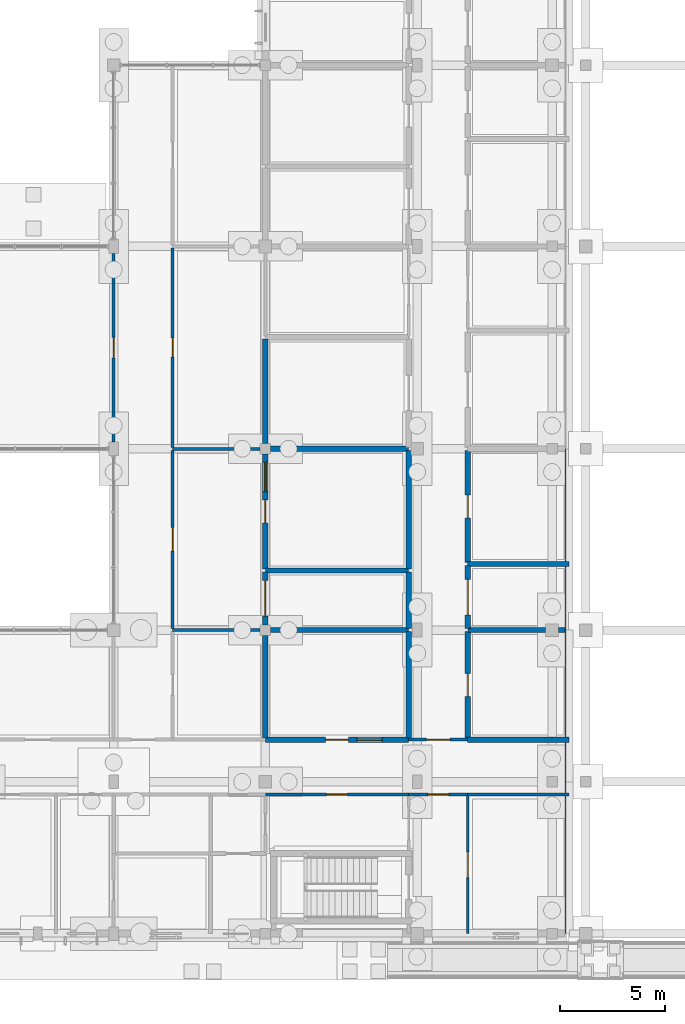
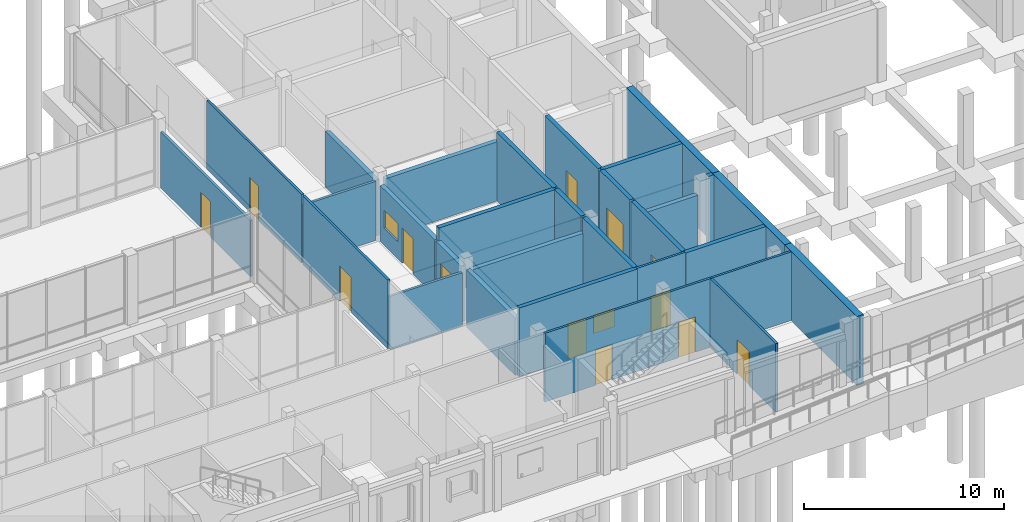
# One storey, part 80 of 104: 31 walls, 13 doors, 2 windows, 15 openings.
"""IFC4 building model written with IfcOpenShell, lengths in metres."""

from ifc_helpers import new_model, si_unit, direction, frame, frame_2d, origin, place, context, subcontext, project, spatial, rectangle, extrude, material, layer, layer_set, type_object, element, fill, save


model = new_model("IFC4")

# Units and contexts
model_context = context("Model", 3, precision=1e-05, world=origin(), true_north=direction((0.0, 1.0)))
body_context = subcontext(model_context, "Body", "Model", "MODEL_VIEW")
ifc_project = project(units=[si_unit("LENGTHUNIT", "METRE"), si_unit("AREAUNIT", "SQUARE_METRE"), si_unit("VOLUMEUNIT", "CUBIC_METRE"), si_unit("PLANEANGLEUNIT", "RADIAN"), si_unit("MASSUNIT", "GRAM", prefix="KILO")], contexts=[model_context])

# Site, building, storey
site_placement = place(None, origin())
site = spatial("IfcSite", under=ifc_project, at=site_placement, CompositionType="ELEMENT")
building_placement = place(site_placement, origin())
building = spatial("IfcBuilding", under=site, at=building_placement, Name="Hawrajan Terrace Health Centre", CompositionType="ELEMENT")
storey_placement = place(building_placement, origin())
storey = spatial("IfcBuildingStorey", under=building, at=storey_placement, Name="L00", CompositionType="ELEMENT", Elevation=0.0)

# Wall, opening, door
ifc_material_1 = material(Name="Gypsum board on acoustic stud framing")
ifc_layer_1 = layer(ifc_material_1, 0.139892578125)
ifc_layer_set_1 = layer_set([ifc_layer_1], Name="Gypsum board on acoustic stud framing")
wall_type_1 = type_object("IfcWallType", Name="ClinicalAcousticWall_140", PredefinedType="PARTITIONING", material=ifc_layer_set_1)
wall_1_placement = place(storey_placement, frame((107.800048828125, 27.52490234375, 0.0), z_axis=(0.0, 0.0, 1.0), x_axis=(0.0, 1.0, 0.0)))
wall_1 = element("IfcWall", 1, at=wall_1_placement, inside=storey, type_object=wall_type_1, Name="Interior wall IW-L00-0393", PredefinedType="PARTITIONING", context=body_context, shape_type="SweptSolid", body=[
    extrude(rectangle(XDim=8.9501953125, YDim=0.139892578125, at=frame_2d((4.47509765625, 0.0))), origin(), (0.0, 0.0, 1.0), 3.39990234375),
])
opening_1_placement = place(wall_1_placement, frame((3.985107421875, 0.0, 0.0)))
opening_1 = element("IfcOpeningElement", 2, at=opening_1_placement, cuts=wall_1, Name="Opening D-L00-134", PredefinedType="OPENING", context=body_context, shape_type="SweptSolid", body=[
    extrude(rectangle(XDim=0.97998046875, YDim=2.14990234375, at=frame_2d((0.489990234375, 1.074951171875))), frame((0.0, 0.079833984375, 0.0), z_axis=(0.0, -1.0, 0.0), x_axis=(1.0, 0.0, 0.0)), (0.0, 0.0, 1.0), 0.159912109375),
])
ifc_material_2 = material(Name="Hardwood acoustic clinical door leaf and frame", Category="wood")
door_type_1 = type_object("IfcDoorType", Name="ConsultDoor_980x2150", OperationType="NOTDEFINED", PredefinedType="DOOR", material=ifc_material_2)
door_1_placement = place(opening_1_placement, origin())
door_1 = element("IfcDoor", 3, at=door_1_placement, inside=storey, type_object=door_type_1, Name="Interior door D-L00-134", OperationType="SINGLE_SWING_RIGHT", OverallHeight=2.14990234375, OverallWidth=0.97998046875, PredefinedType="DOOR", context=body_context, shape_type="SweptSolid", body=[
    extrude(rectangle(XDim=0.97998046875, YDim=2.14990234375, at=frame_2d((0.489990234375, 1.074951171875))), frame((0.0, 0.02490234375, 0.0), z_axis=(0.0, -1.0, 0.0), x_axis=(1.0, 0.0, 0.0)), (0.0, 0.0, 1.0), 0.050048828125),
])
fill(opening_1, door_1)

wall_2_placement = place(storey_placement, frame((110.60009765625, 18.669921875, 0.0), z_axis=(0.0, 0.0, 1.0), x_axis=(0.0, 1.0, 0.0)))
wall_2 = element("IfcWall", 4, at=wall_2_placement, inside=storey, type_object=wall_type_1, Name="Interior wall IW-L00-0396", PredefinedType="PARTITIONING", context=body_context, shape_type="SweptSolid", body=[
    extrude(rectangle(XDim=8.4599609375, YDim=0.139892578125, at=frame_2d((4.22998046875, 0.0))), origin(), (0.0, 0.0, 1.0), 4.179931640625),
])
opening_2_placement = place(wall_2_placement, frame((3.669921875, 0.0, 0.0)))
opening_2 = element("IfcOpeningElement", 5, at=opening_2_placement, cuts=wall_2, Name="Opening D-L00-135", PredefinedType="OPENING", context=body_context, shape_type="SweptSolid", body=[
    extrude(rectangle(XDim=1.1201171875, YDim=2.14990234375, at=frame_2d((0.56005859375, 1.074951171875))), frame((0.0, 0.079833984375, 0.0), z_axis=(0.0, -1.0, 0.0), x_axis=(1.0, 0.0, 0.0)), (0.0, 0.0, 1.0), 0.159912109375),
])
door_type_2 = type_object("IfcDoorType", Name="DentalSurgeryDoor_1120x2150", OperationType="NOTDEFINED", PredefinedType="DOOR", material=ifc_material_2)
door_2_placement = place(opening_2_placement, origin())
door_2 = element("IfcDoor", 6, at=door_2_placement, inside=storey, type_object=door_type_2, Name="Interior door D-L00-135", OperationType="SINGLE_SWING_LEFT", OverallHeight=2.14990234375, OverallWidth=1.1201171875, PredefinedType="DOOR", context=body_context, shape_type="SweptSolid", body=[
    extrude(rectangle(XDim=1.1201171875, YDim=2.14990234375, at=frame_2d((0.56005859375, 1.074951171875))), frame((0.0, 0.02490234375, 0.0), z_axis=(0.0, -1.0, 0.0), x_axis=(1.0, 0.0, 0.0)), (0.0, 0.0, 1.0), 0.050048828125),
])
fill(opening_2, door_2)

# Wall
wall_3_placement = place(storey_placement, frame((110.60009765625, 18.60009765625, 0.0), z_axis=(0.0, 0.0, 1.0), x_axis=(1.0, 0.0, 0.0)))
element("IfcWall", 7, at=wall_3_placement, inside=storey, type_object=wall_type_1, Name="Interior wall IW-L00-0397", PredefinedType="PARTITIONING", context=body_context, shape_type="SweptSolid", body=[
    extrude(rectangle(XDim=4.14990234375, YDim=0.139892578125, at=frame_2d((2.074951171875, 0.0))), origin(), (0.0, 0.0, 1.0), 3.25),
])

# Wall, opening, door
wall_4_placement = place(storey_placement, frame((110.60009765625, 27.27001953125, 0.0), z_axis=(0.0, 0.0, 1.0), x_axis=(0.0, 1.0, 0.0)))
wall_4 = element("IfcWall", 8, at=wall_4_placement, inside=storey, type_object=wall_type_1, Name="Interior wall IW-L00-0398", PredefinedType="PARTITIONING", context=body_context, shape_type="SweptSolid", body=[
    extrude(rectangle(XDim=9.4599609375, YDim=0.139892578125, at=frame_2d((4.72998046875, 0.0))), origin(), (0.0, 0.0, 1.0), 4.179931640625),
])
opening_3_placement = place(wall_4_placement, frame((4.280029296875, 0.0, 0.0)))
opening_3 = element("IfcOpeningElement", 9, at=opening_3_placement, cuts=wall_4, Name="Opening D-L00-149", PredefinedType="OPENING", context=body_context, shape_type="SweptSolid", body=[
    extrude(rectangle(XDim=0.89990234375, YDim=2.10009765625, at=frame_2d((0.449951171875, 1.050048828125))), frame((0.0, 0.079833984375, 0.0), z_axis=(0.0, -1.0, 0.0), x_axis=(1.0, 0.0, 0.0)), (0.0, 0.0, 1.0), 0.159912109375),
])
door_type_3 = type_object("IfcDoorType", Name="PatientWCDoor_900x2100", OperationType="NOTDEFINED", PredefinedType="DOOR", material=ifc_material_2)
door_3_placement = place(opening_3_placement, origin())
door_3 = element("IfcDoor", 10, at=door_3_placement, inside=storey, type_object=door_type_3, Name="Interior door D-L00-149", OperationType="SINGLE_SWING_LEFT", OverallHeight=2.10009765625, OverallWidth=0.89990234375, PredefinedType="DOOR", context=body_context, shape_type="SweptSolid", body=[
    extrude(rectangle(XDim=0.89990234375, YDim=2.10009765625, at=frame_2d((0.449951171875, 1.050048828125))), frame((0.0, 0.02490234375, 0.0), z_axis=(0.0, -1.0, 0.0), x_axis=(1.0, 0.0, 0.0)), (0.0, 0.0, 1.0), 0.050048828125),
])
fill(opening_3, door_3)

# Wall
wall_5_placement = place(storey_placement, frame((110.60009765625, 27.199951171875, 0.0), z_axis=(0.0, 0.0, 1.0), x_axis=(1.0, 0.0, 0.0)))
element("IfcWall", 11, at=wall_5_placement, inside=storey, type_object=wall_type_1, Name="Interior wall IW-L00-0399", PredefinedType="PARTITIONING", context=body_context, shape_type="SweptSolid", body=[
    extrude(rectangle(XDim=4.14990234375, YDim=0.139892578125, at=frame_2d((2.074951171875, 0.0))), origin(), (0.0, 0.0, 1.0), 3.60009765625),
])

# Wall, opening, door
wall_6_placement = place(storey_placement, frame((115.0, 10.800048828125, 0.0), z_axis=(0.0, 0.0, 1.0), x_axis=(1.0, 0.0, 0.0)))
wall_6 = element("IfcWall", 12, at=wall_6_placement, inside=storey, type_object=wall_type_1, Name="Interior wall IW-L00-0406", PredefinedType="PARTITIONING", context=body_context, shape_type="SweptSolid", body=[
    extrude(rectangle(XDim=6.800048828125, YDim=0.139892578125, at=frame_2d((3.39990234375, 0.0))), origin(), (0.0, 0.0, 1.0), 4.179931640625),
])
opening_4_placement = place(wall_6_placement, frame((2.909912109375, 0.0, 0.0)))
opening_4 = element("IfcOpeningElement", 13, at=opening_4_placement, cuts=wall_6, Name="Opening D-L00-121", PredefinedType="OPENING", context=body_context, shape_type="SweptSolid", body=[
    extrude(rectangle(XDim=0.97998046875, YDim=2.14990234375, at=frame_2d((0.489990234375, 1.074951171875))), frame((0.0, 0.079833984375, 0.0), z_axis=(0.0, -1.0, 0.0), x_axis=(1.0, 0.0, 0.0)), (0.0, 0.0, 1.0), 0.159912109375),
])
door_4_placement = place(opening_4_placement, origin())
door_4 = element("IfcDoor", 14, at=door_4_placement, inside=storey, type_object=door_type_1, Name="Interior door D-L00-121", OperationType="SINGLE_SWING_LEFT", OverallHeight=2.14990234375, OverallWidth=0.97998046875, PredefinedType="DOOR", context=body_context, shape_type="SweptSolid", body=[
    extrude(rectangle(XDim=0.97998046875, YDim=2.14990234375, at=frame_2d((0.489990234375, 1.074951171875))), frame((0.0, 0.02490234375, 0.0), z_axis=(0.0, -1.0, 0.0), x_axis=(1.0, 0.0, 0.0)), (0.0, 0.0, 1.0), 0.050048828125),
])
fill(opening_4, door_4)

wall_7_placement = place(storey_placement, frame((121.800048828125, 10.800048828125, 0.0), z_axis=(0.0, 0.0, 1.0), x_axis=(1.0, 0.0, 0.0)))
wall_7 = element("IfcWall", 15, at=wall_7_placement, inside=storey, type_object=wall_type_1, Name="Interior wall IW-L00-0424", PredefinedType="PARTITIONING", context=body_context, shape_type="SweptSolid", body=[
    extrude(rectangle(XDim=2.800048828125, YDim=0.139892578125, at=frame_2d((1.39990234375, 0.0))), origin(), (0.0, 0.0, 1.0), 4.179931640625),
])
opening_5_placement = place(wall_7_placement, frame((0.909912109375, 0.0, 0.0)))
opening_5 = element("IfcOpeningElement", 16, at=opening_5_placement, cuts=wall_7, Name="Opening D-L00-118", PredefinedType="OPENING", context=body_context, shape_type="SweptSolid", body=[
    extrude(rectangle(XDim=0.97998046875, YDim=2.14990234375, at=frame_2d((0.489990234375, 1.074951171875))), frame((0.0, 0.079833984375, 0.0), z_axis=(0.0, -1.0, 0.0), x_axis=(1.0, 0.0, 0.0)), (0.0, 0.0, 1.0), 0.159912109375),
])
door_5_placement = place(opening_5_placement, origin())
door_5 = element("IfcDoor", 17, at=door_5_placement, inside=storey, type_object=door_type_1, Name="Interior door D-L00-118", OperationType="SINGLE_SWING_RIGHT", OverallHeight=2.14990234375, OverallWidth=0.97998046875, PredefinedType="DOOR", context=body_context, shape_type="SweptSolid", body=[
    extrude(rectangle(XDim=0.97998046875, YDim=2.14990234375, at=frame_2d((0.489990234375, 1.074951171875))), frame((0.0, 0.02490234375, 0.0), z_axis=(0.0, -1.0, 0.0), x_axis=(1.0, 0.0, 0.0)), (0.0, 0.0, 1.0), 0.050048828125),
])
fill(opening_5, door_5)

wall_8_placement = place(storey_placement, frame((121.800048828125, 13.39990234375, 0.0), z_axis=(0.0, 0.0, 1.0), x_axis=(1.0, 0.0, 0.0)))
wall_8 = element("IfcWall", 18, at=wall_8_placement, inside=storey, type_object=wall_type_1, Name="Interior wall IW-L00-0426", PredefinedType="PARTITIONING", context=body_context, shape_type="SweptSolid", body=[
    extrude(rectangle(XDim=2.800048828125, YDim=0.139892578125, at=frame_2d((1.39990234375, 0.0))), origin(), (0.0, 0.0, 1.0), 4.179931640625),
])
opening_6_placement = place(wall_8_placement, frame((0.840087890625, 0.0, 0.0)))
opening_6 = element("IfcOpeningElement", 19, at=opening_6_placement, cuts=wall_8, Name="Opening D-L00-119", PredefinedType="OPENING", context=body_context, shape_type="SweptSolid", body=[
    extrude(rectangle(XDim=1.1201171875, YDim=2.14990234375, at=frame_2d((0.56005859375, 1.074951171875))), frame((0.0, 0.079833984375, 0.0), z_axis=(0.0, -1.0, 0.0), x_axis=(1.0, 0.0, 0.0)), (0.0, 0.0, 1.0), 0.159912109375),
])
door_6_placement = place(opening_6_placement, origin())
door_6 = element("IfcDoor", 20, at=door_6_placement, inside=storey, type_object=door_type_2, Name="Interior door D-L00-119", OperationType="SINGLE_SWING_LEFT", OverallHeight=2.14990234375, OverallWidth=1.1201171875, PredefinedType="DOOR", context=body_context, shape_type="SweptSolid", body=[
    extrude(rectangle(XDim=1.1201171875, YDim=2.14990234375, at=frame_2d((0.56005859375, 1.074951171875))), frame((0.0, 0.02490234375, 0.0), z_axis=(0.0, -1.0, 0.0), x_axis=(1.0, 0.0, 0.0)), (0.0, 0.0, 1.0), 0.050048828125),
])
fill(opening_6, door_6)

wall_9_placement = place(storey_placement, frame((124.60009765625, 4.199951171875, 0.0), z_axis=(0.0, 0.0, 1.0), x_axis=(0.0, 1.0, 0.0)))
wall_9 = element("IfcWall", 21, at=wall_9_placement, inside=storey, type_object=wall_type_1, Name="Interior wall IW-L00-0437", PredefinedType="PARTITIONING", context=body_context, shape_type="SweptSolid", body=[
    extrude(rectangle(XDim=6.530029296875, YDim=0.139892578125, at=frame_2d((3.26513671875, 0.0))), origin(), (0.0, 0.0, 1.0), 4.179931640625),
])
opening_7_placement = place(wall_9_placement, frame((2.655029296875, 0.0, 0.0)))
opening_7 = element("IfcOpeningElement", 22, at=opening_7_placement, cuts=wall_9, Name="Opening D-L00-227", PredefinedType="OPENING", context=body_context, shape_type="SweptSolid", body=[
    extrude(rectangle(XDim=1.219970703125, YDim=2.10009765625, at=frame_2d((0.60986328125, 1.050048828125))), frame((0.0, 0.079833984375, 0.0), z_axis=(0.0, -1.0, 0.0), x_axis=(1.0, 0.0, 0.0)), (0.0, 0.0, 1.0), 0.159912109375),
])
door_type_4 = type_object("IfcDoorType", Name="ConsultDoor_1220x2100", OperationType="NOTDEFINED", PredefinedType="DOOR", material=ifc_material_2)
door_7_placement = place(opening_7_placement, origin())
door_7 = element("IfcDoor", 23, at=door_7_placement, inside=storey, type_object=door_type_4, Name="Interior door D-L00-227", OperationType="SINGLE_SWING_LEFT", OverallHeight=2.10009765625, OverallWidth=1.219970703125, PredefinedType="DOOR", context=body_context, shape_type="SweptSolid", body=[
    extrude(rectangle(XDim=1.219970703125, YDim=2.10009765625, at=frame_2d((0.60986328125, 1.050048828125))), frame((0.0, 0.02490234375, 0.0), z_axis=(0.0, -1.0, 0.0), x_axis=(1.0, 0.0, 0.0)), (0.0, 0.0, 1.0), 0.050048828125),
])
fill(opening_7, door_7)

# Walls
wall_10_placement = place(storey_placement, frame((124.60009765625, 10.800048828125, 0.0), z_axis=(0.0, 0.0, 1.0), x_axis=(1.0, 0.0, 0.0)))
element("IfcWall", 24, at=wall_10_placement, inside=storey, type_object=wall_type_1, Name="Interior wall IW-L00-0438", PredefinedType="PARTITIONING", context=body_context, shape_type="SweptSolid", body=[
    extrude(rectangle(XDim=4.794921875, YDim=0.139892578125, at=frame_2d((2.3974609375, 0.0))), origin(), (0.0, 0.0, 1.0), 4.179931640625),
])
ifc_material_3 = material(Name="Concrete C40/50", Category="concrete")
ifc_layer_2 = layer(ifc_material_3, 0.3798828125)
ifc_layer_set_2 = layer_set([ifc_layer_2], Name="Concrete C40/50")
wall_type_2 = type_object("IfcWallType", Name="EscarpmentWall_RC380", PredefinedType="USERDEFINED", material=ifc_layer_set_2)
wall_11_placement = place(storey_placement, frame((129.39501953125, 4.199951171875, 0.0), z_axis=(0.0, 0.0, 1.0), x_axis=(0.0, 1.0, 0.0)))
element("IfcWall", 25, at=wall_11_placement, inside=storey, type_object=wall_type_2, Name="Exterior wall EW-L00-V16-00-1", ObjectType="RETAINING WALL", PredefinedType="USERDEFINED", context=body_context, shape_type="SweptSolid", body=[
    extrude(rectangle(XDim=7.199951171875, YDim=0.3798828125, at=frame_2d((3.60009765625, 0.0))), origin(), (0.0, 0.0, 1.0), 4.199951171875),
])
wall_12_placement = place(storey_placement, frame((129.39501953125, 11.39990234375, 0.0), z_axis=(0.0, 0.0, 1.0), x_axis=(0.0, 1.0, 0.0)))
element("IfcWall", 26, at=wall_12_placement, inside=storey, type_object=wall_type_2, Name="Exterior wall EW-L00-V16-01-1", ObjectType="RETAINING WALL", PredefinedType="USERDEFINED", context=body_context, shape_type="SweptSolid", body=[
    extrude(rectangle(XDim=7.2001953125, YDim=0.3798828125, at=frame_2d((3.60009765625, 0.0))), origin(), (0.0, 0.0, 1.0), 4.199951171875),
])
wall_13_placement = place(storey_placement, frame((129.39501953125, 18.60009765625, 0.0), z_axis=(0.0, 0.0, 1.0), x_axis=(0.0, 1.0, 0.0)))
element("IfcWall", 27, at=wall_13_placement, inside=storey, type_object=wall_type_2, Name="Exterior wall EW-L00-V16-02-1", ObjectType="RETAINING WALL", PredefinedType="USERDEFINED", context=body_context, shape_type="SweptSolid", body=[
    extrude(rectangle(XDim=8.599853515625, YDim=0.3798828125, at=frame_2d((4.2998046875, 0.0))), origin(), (0.0, 0.0, 1.0), 4.199951171875),
])
ifc_layer_3 = layer(ifc_material_3, 0.25)
ifc_layer_set_3 = layer_set([ifc_layer_3], Name="Concrete C40/50")
wall_type_3 = type_object("IfcWallType", Name="RadiationShieldWall_RC250", PredefinedType="SOLIDWALL", material=ifc_layer_set_3)
wall_14_placement = place(storey_placement, frame((115.0, 13.469970703125, 0.0), z_axis=(0.0, 0.0, 1.0), x_axis=(0.0, 1.0, 0.0)))
element("IfcWall", 28, at=wall_14_placement, inside=storey, type_object=wall_type_3, Name="Interior wall IW-L00-0407", PredefinedType="SOLIDWALL", context=body_context, shape_type="SweptSolid", body=[
    extrude(rectangle(XDim=4.880126953125, YDim=0.25, at=frame_2d((2.43994140625, 0.0))), origin(), (0.0, 0.0, 1.0), 3.5),
])

# Wall, openings, door, window
wall_15_placement = place(storey_placement, frame((115.0, 13.39990234375, 0.0), z_axis=(0.0, 0.0, 1.0), x_axis=(1.0, 0.0, 0.0)))
wall_15 = element("IfcWall", 29, at=wall_15_placement, inside=storey, type_object=wall_type_3, Name="Interior wall IW-L00-0408", PredefinedType="SOLIDWALL", context=body_context, shape_type="SweptSolid", body=[
    extrude(rectangle(XDim=6.800048828125, YDim=0.25, at=frame_2d((3.39990234375, 0.0))), origin(), (0.0, 0.0, 1.0), 4.179931640625),
])
opening_8_placement = place(wall_15_placement, frame((2.860107421875, 0.0, 0.0)))
opening_8 = element("IfcOpeningElement", 30, at=opening_8_placement, cuts=wall_15, Name="Opening D-L00-218", PredefinedType="OPENING", context=body_context, shape_type="SweptSolid", body=[
    extrude(rectangle(XDim=1.080078125, YDim=2.14990234375, at=frame_2d((0.5400390625, 1.074951171875))), frame((0.0, 0.135009765625, 0.0), z_axis=(0.0, -1.0, 0.0), x_axis=(1.0, 0.0, 0.0)), (0.0, 0.0, 1.0), 0.27001953125),
])
opening_9_placement = place(wall_15_placement, frame((4.340087890625, 0.0, 1.050048828125)))
opening_9 = element("IfcOpeningElement", 31, at=opening_9_placement, cuts=wall_15, Name="Opening W-L00-I01", PredefinedType="OPENING", context=body_context, shape_type="SweptSolid", body=[
    extrude(rectangle(XDim=1.199951171875, YDim=1.10009765625, at=frame_2d((0.60009765625, 0.550048828125))), frame((0.0, 0.135009765625, 0.0), z_axis=(0.0, -1.0, 0.0), x_axis=(1.0, 0.0, 0.0)), (0.0, 0.0, 1.0), 0.27001953125),
])
ifc_material_4 = material(Name="Timber-veneered acoustic fire-resisting door assembly", Category="wood")
door_type_5 = type_object("IfcDoorType", Name="ClinicalFireDoor_1080x2150", OperationType="NOTDEFINED", PredefinedType="DOOR", material=ifc_material_4)
door_8_placement = place(opening_8_placement, origin())
door_8 = element("IfcDoor", 32, at=door_8_placement, inside=storey, type_object=door_type_5, Name="Interior door D-L00-218", OperationType="SINGLE_SWING_RIGHT", OverallHeight=2.14990234375, OverallWidth=1.080078125, PredefinedType="DOOR", context=body_context, shape_type="SweptSolid", body=[
    extrude(rectangle(XDim=1.080078125, YDim=2.14990234375, at=frame_2d((0.5400390625, 1.074951171875))), frame((0.0, 0.02490234375, 0.0), z_axis=(0.0, -1.0, 0.0), x_axis=(1.0, 0.0, 0.0)), (0.0, 0.0, 1.0), 0.050048828125),
])
fill(opening_8, door_8)
ifc_material_5 = material(Name="Lead-lined and acoustic internal observation glazing", Category="glass")
window_type_1 = type_object("IfcWindowType", Name="InternalObsWindow_1200x1100", PartitioningType="SINGLE_PANEL", PredefinedType="WINDOW", material=ifc_material_5)
window_1_placement = place(opening_9_placement, origin())
window_1 = element("IfcWindow", 33, at=window_1_placement, inside=storey, type_object=window_type_1, Name="Observation window W-L00-I01", OverallHeight=1.10009765625, OverallWidth=1.199951171875, PartitioningType="SINGLE_PANEL", PredefinedType="WINDOW", context=body_context, shape_type="SweptSolid", body=[
    extrude(rectangle(XDim=1.199951171875, YDim=1.10009765625, at=frame_2d((0.60009765625, 0.550048828125))), frame((0.0, 0.030029296875, 0.0), z_axis=(0.0, -1.0, 0.0), x_axis=(1.0, 0.0, 0.0)), (0.0, 0.0, 1.0), 0.06005859375),
])
fill(opening_9, window_1)

# Wall, opening, door
wall_16_placement = place(storey_placement, frame((115.0, 18.85009765625, 0.0), z_axis=(0.0, 0.0, 1.0), x_axis=(0.0, 1.0, 0.0)))
wall_16 = element("IfcWall", 34, at=wall_16_placement, inside=storey, type_object=wall_type_3, Name="Interior wall IW-L00-0409", PredefinedType="SOLIDWALL", context=body_context, shape_type="SweptSolid", body=[
    extrude(rectangle(XDim=2.5087890625, YDim=0.25, at=frame_2d((1.25439453125, 0.0))), origin(), (0.0, 0.0, 1.0), 3.39990234375),
])
opening_10_placement = place(wall_16_placement, frame((0.41455078125, 0.0, 0.0)))
opening_10 = element("IfcOpeningElement", 35, at=opening_10_placement, cuts=wall_16, Name="Opening D-L00-219", PredefinedType="OPENING", context=body_context, shape_type="SweptSolid", body=[
    extrude(rectangle(XDim=1.679931640625, YDim=2.300048828125, at=frame_2d((0.83984375, 1.14990234375))), frame((0.0, 0.135009765625, 0.0), z_axis=(0.0, -1.0, 0.0), x_axis=(1.0, 0.0, 0.0)), (0.0, 0.0, 1.0), 0.27001953125),
])
door_type_6 = type_object("IfcDoorType", Name="ImagingShieldedDoor_1680x2300", OperationType="DOUBLE_DOOR_SINGLE_SWING", PredefinedType="DOOR", material=ifc_material_4)
door_9_placement = place(opening_10_placement, origin())
door_9 = element("IfcDoor", 36, at=door_9_placement, inside=storey, type_object=door_type_6, Name="Interior door D-L00-219", OperationType="DOUBLE_DOOR_SINGLE_SWING", OverallHeight=2.300048828125, OverallWidth=1.679931640625, PredefinedType="DOOR", context=body_context, shape_type="SweptSolid", body=[
    extrude(rectangle(XDim=1.679931640625, YDim=2.300048828125, at=frame_2d((0.83984375, 1.14990234375))), frame((0.0, 0.02490234375, 0.0), z_axis=(0.0, -1.0, 0.0), x_axis=(1.0, 0.0, 0.0)), (0.0, 0.0, 1.0), 0.050048828125),
])
fill(opening_10, door_9)

# Wall
wall_17_placement = place(storey_placement, frame((115.25, 18.60009765625, 0.0), z_axis=(0.0, 0.0, 1.0), x_axis=(1.0, 0.0, 0.0)))
element("IfcWall", 37, at=wall_17_placement, inside=storey, type_object=wall_type_3, Name="Interior wall IW-L00-0410", PredefinedType="SOLIDWALL", context=body_context, shape_type="SweptSolid", body=[
    extrude(rectangle(XDim=6.550048828125, YDim=0.25, at=frame_2d((3.27490234375, 0.0))), origin(), (0.0, 0.0, 1.0), 3.25),
])

# Wall, openings, door, window
wall_18_placement = place(storey_placement, frame((115.0, 21.4990234375, 0.0), z_axis=(0.0, 0.0, 1.0), x_axis=(0.0, 1.0, 0.0)))
wall_18 = element("IfcWall", 38, at=wall_18_placement, inside=storey, type_object=wall_type_3, Name="Interior wall IW-L00-0411", PredefinedType="SOLIDWALL", context=body_context, shape_type="SweptSolid", body=[
    extrude(rectangle(XDim=5.450927734375, YDim=0.25, at=frame_2d((2.7255859375, 0.0))), origin(), (0.0, 0.0, 1.0), 3.39990234375),
])
opening_11_placement = place(wall_18_placement, frame((2.185546875, 0.0, 0.0)))
opening_11 = element("IfcOpeningElement", 39, at=opening_11_placement, cuts=wall_18, Name="Opening D-L00-220", PredefinedType="OPENING", context=body_context, shape_type="SweptSolid", body=[
    extrude(rectangle(XDim=1.080078125, YDim=2.14990234375, at=frame_2d((0.5400390625, 1.074951171875))), frame((0.0, 0.135009765625, 0.0), z_axis=(0.0, -1.0, 0.0), x_axis=(1.0, 0.0, 0.0)), (0.0, 0.0, 1.0), 0.27001953125),
])
opening_12_placement = place(wall_18_placement, frame((3.66552734375, 0.0, 1.050048828125)))
opening_12 = element("IfcOpeningElement", 40, at=opening_12_placement, cuts=wall_18, Name="Opening W-L00-I02", PredefinedType="OPENING", context=body_context, shape_type="SweptSolid", body=[
    extrude(rectangle(XDim=1.39990234375, YDim=1.10009765625, at=frame_2d((0.699951171875, 0.550048828125))), frame((0.0, 0.135009765625, 0.0), z_axis=(0.0, -1.0, 0.0), x_axis=(1.0, 0.0, 0.0)), (0.0, 0.0, 1.0), 0.27001953125),
])
door_10_placement = place(opening_11_placement, origin())
door_10 = element("IfcDoor", 41, at=door_10_placement, inside=storey, type_object=door_type_5, Name="Interior door D-L00-220", OperationType="SINGLE_SWING_RIGHT", OverallHeight=2.14990234375, OverallWidth=1.080078125, PredefinedType="DOOR", context=body_context, shape_type="SweptSolid", body=[
    extrude(rectangle(XDim=1.080078125, YDim=2.14990234375, at=frame_2d((0.5400390625, 1.074951171875))), frame((0.0, 0.02490234375, 0.0), z_axis=(0.0, -1.0, 0.0), x_axis=(1.0, 0.0, 0.0)), (0.0, 0.0, 1.0), 0.050048828125),
])
fill(opening_11, door_10)
window_type_2 = type_object("IfcWindowType", Name="InternalObsWindow_1400x1100", PartitioningType="SINGLE_PANEL", PredefinedType="WINDOW", material=ifc_material_5)
window_2_placement = place(opening_12_placement, origin())
window_2 = element("IfcWindow", 42, at=window_2_placement, inside=storey, type_object=window_type_2, Name="Observation window W-L00-I02", OverallHeight=1.10009765625, OverallWidth=1.39990234375, PartitioningType="SINGLE_PANEL", PredefinedType="WINDOW", context=body_context, shape_type="SweptSolid", body=[
    extrude(rectangle(XDim=1.39990234375, YDim=1.10009765625, at=frame_2d((0.699951171875, 0.550048828125))), frame((0.0, 0.030029296875, 0.0), z_axis=(0.0, -1.0, 0.0), x_axis=(1.0, 0.0, 0.0)), (0.0, 0.0, 1.0), 0.06005859375),
])
fill(opening_12, window_2)

# Walls
wall_19_placement = place(storey_placement, frame((115.0, 21.428955078125, 0.0), z_axis=(0.0, 0.0, 1.0), x_axis=(1.0, 0.0, 0.0)))
element("IfcWall", 43, at=wall_19_placement, inside=storey, type_object=wall_type_3, Name="Interior wall IW-L00-0412", PredefinedType="SOLIDWALL", context=body_context, shape_type="SweptSolid", body=[
    extrude(rectangle(XDim=6.800048828125, YDim=0.25, at=frame_2d((3.39990234375, 0.0))), origin(), (0.0, 0.0, 1.0), 4.179931640625),
])
wall_20_placement = place(storey_placement, frame((115.0, 27.449951171875, 0.0), z_axis=(0.0, 0.0, 1.0), x_axis=(0.0, 1.0, 0.0)))
element("IfcWall", 44, at=wall_20_placement, inside=storey, type_object=wall_type_3, Name="Interior wall IW-L00-0413", PredefinedType="SOLIDWALL", context=body_context, shape_type="SweptSolid", body=[
    extrude(rectangle(XDim=4.969970703125, YDim=0.25, at=frame_2d((2.48486328125, 0.0))), origin(), (0.0, 0.0, 1.0), 3.39990234375),
])
wall_21_placement = place(storey_placement, frame((115.25, 27.199951171875, 0.0), z_axis=(0.0, 0.0, 1.0), x_axis=(1.0, 0.0, 0.0)))
element("IfcWall", 45, at=wall_21_placement, inside=storey, type_object=wall_type_3, Name="Interior wall IW-L00-0414", PredefinedType="SOLIDWALL", context=body_context, shape_type="SweptSolid", body=[
    extrude(rectangle(XDim=6.550048828125, YDim=0.25, at=frame_2d((3.27490234375, 0.0))), origin(), (0.0, 0.0, 1.0), 3.60009765625),
])
wall_22_placement = place(storey_placement, frame((121.800048828125, 13.469970703125, 0.0), z_axis=(0.0, 0.0, 1.0), x_axis=(0.0, 1.0, 0.0)))
element("IfcWall", 46, at=wall_22_placement, inside=storey, type_object=wall_type_3, Name="Interior wall IW-L00-0425", PredefinedType="SOLIDWALL", context=body_context, shape_type="SweptSolid", body=[
    extrude(rectangle(XDim=5.06005859375, YDim=0.25, at=frame_2d((2.530029296875, 0.0))), origin(), (0.0, 0.0, 1.0), 4.179931640625),
])
wall_23_placement = place(storey_placement, frame((121.800048828125, 18.669921875, 0.0), z_axis=(0.0, 0.0, 1.0), x_axis=(0.0, 1.0, 0.0)))
element("IfcWall", 47, at=wall_23_placement, inside=storey, type_object=wall_type_3, Name="Interior wall IW-L00-0427", PredefinedType="SOLIDWALL", context=body_context, shape_type="SweptSolid", body=[
    extrude(rectangle(XDim=2.68896484375, YDim=0.25, at=frame_2d((1.344482421875, 0.0))), origin(), (0.0, 0.0, 1.0), 4.179931640625),
])
wall_24_placement = place(storey_placement, frame((121.800048828125, 21.4990234375, 0.0), z_axis=(0.0, 0.0, 1.0), x_axis=(0.0, 1.0, 0.0)))
element("IfcWall", 48, at=wall_24_placement, inside=storey, type_object=wall_type_3, Name="Interior wall IW-L00-0428", PredefinedType="SOLIDWALL", context=body_context, shape_type="SweptSolid", body=[
    extrude(rectangle(XDim=5.630859375, YDim=0.25, at=frame_2d((2.8154296875, 0.0))), origin(), (0.0, 0.0, 1.0), 4.179931640625),
])

# Wall, opening, door
wall_25_placement = place(storey_placement, frame((124.60009765625, 13.469970703125, 0.0), z_axis=(0.0, 0.0, 1.0), x_axis=(0.0, 1.0, 0.0)))
wall_25 = element("IfcWall", 49, at=wall_25_placement, inside=storey, type_object=wall_type_3, Name="Interior wall IW-L00-0439", PredefinedType="SOLIDWALL", context=body_context, shape_type="SweptSolid", body=[
    extrude(rectangle(XDim=5.06005859375, YDim=0.25, at=frame_2d((2.530029296875, 0.0))), origin(), (0.0, 0.0, 1.0), 4.179931640625),
])
opening_13_placement = place(wall_25_placement, frame((1.989990234375, 0.0, 0.0)))
opening_13 = element("IfcOpeningElement", 50, at=opening_13_placement, cuts=wall_25, Name="Opening D-L00-228", PredefinedType="OPENING", context=body_context, shape_type="SweptSolid", body=[
    extrude(rectangle(XDim=1.080078125, YDim=2.14990234375, at=frame_2d((0.5400390625, 1.074951171875))), frame((0.0, 0.135009765625, 0.0), z_axis=(0.0, -1.0, 0.0), x_axis=(1.0, 0.0, 0.0)), (0.0, 0.0, 1.0), 0.27001953125),
])
door_11_placement = place(opening_13_placement, origin())
door_11 = element("IfcDoor", 51, at=door_11_placement, inside=storey, type_object=door_type_5, Name="Interior door D-L00-228", OperationType="SINGLE_SWING_RIGHT", OverallHeight=2.14990234375, OverallWidth=1.080078125, PredefinedType="DOOR", context=body_context, shape_type="SweptSolid", body=[
    extrude(rectangle(XDim=1.080078125, YDim=2.14990234375, at=frame_2d((0.5400390625, 1.074951171875))), frame((0.0, 0.02490234375, 0.0), z_axis=(0.0, -1.0, 0.0), x_axis=(1.0, 0.0, 0.0)), (0.0, 0.0, 1.0), 0.050048828125),
])
fill(opening_13, door_11)

# Wall
wall_26_placement = place(storey_placement, frame((124.60009765625, 13.39990234375, 0.0), z_axis=(0.0, 0.0, 1.0), x_axis=(1.0, 0.0, 0.0)))
element("IfcWall", 52, at=wall_26_placement, inside=storey, type_object=wall_type_3, Name="Interior wall IW-L00-0440", PredefinedType="SOLIDWALL", context=body_context, shape_type="SweptSolid", body=[
    extrude(rectangle(XDim=4.794921875, YDim=0.25, at=frame_2d((2.3974609375, 0.0))), origin(), (0.0, 0.0, 1.0), 4.179931640625),
])

# Wall, opening, door
wall_27_placement = place(storey_placement, frame((124.60009765625, 18.669921875, 0.0), z_axis=(0.0, 0.0, 1.0), x_axis=(0.0, 1.0, 0.0)))
wall_27 = element("IfcWall", 53, at=wall_27_placement, inside=storey, type_object=wall_type_3, Name="Interior wall IW-L00-0441", PredefinedType="SOLIDWALL", context=body_context, shape_type="SweptSolid", body=[
    extrude(rectangle(XDim=2.989990234375, YDim=0.25, at=frame_2d((1.4951171875, 0.0))), origin(), (0.0, 0.0, 1.0), 4.179931640625),
])
opening_14_placement = place(wall_27_placement, frame((0.655029296875, 0.0, 0.0)))
opening_14 = element("IfcOpeningElement", 54, at=opening_14_placement, cuts=wall_27, Name="Opening D-L00-229", PredefinedType="OPENING", context=body_context, shape_type="SweptSolid", body=[
    extrude(rectangle(XDim=1.679931640625, YDim=2.300048828125, at=frame_2d((0.83984375, 1.14990234375))), frame((0.0, 0.135009765625, 0.0), z_axis=(0.0, -1.0, 0.0), x_axis=(1.0, 0.0, 0.0)), (0.0, 0.0, 1.0), 0.27001953125),
])
door_12_placement = place(opening_14_placement, origin())
door_12 = element("IfcDoor", 55, at=door_12_placement, inside=storey, type_object=door_type_6, Name="Interior door D-L00-229", OperationType="DOUBLE_DOOR_SINGLE_SWING", OverallHeight=2.300048828125, OverallWidth=1.679931640625, PredefinedType="DOOR", context=body_context, shape_type="SweptSolid", body=[
    extrude(rectangle(XDim=1.679931640625, YDim=2.300048828125, at=frame_2d((0.83984375, 1.14990234375))), frame((0.0, 0.02490234375, 0.0), z_axis=(0.0, -1.0, 0.0), x_axis=(1.0, 0.0, 0.0)), (0.0, 0.0, 1.0), 0.050048828125),
])
fill(opening_14, door_12)

# Walls
wall_28_placement = place(storey_placement, frame((124.60009765625, 18.60009765625, 0.0), z_axis=(0.0, 0.0, 1.0), x_axis=(1.0, 0.0, 0.0)))
element("IfcWall", 56, at=wall_28_placement, inside=storey, type_object=wall_type_3, Name="Interior wall IW-L00-0442", PredefinedType="SOLIDWALL", context=body_context, shape_type="SweptSolid", body=[
    extrude(rectangle(XDim=3.699951171875, YDim=0.25, at=frame_2d((1.85009765625, 0.0))), origin(), (0.0, 0.0, 1.0), 3.25),
])
wall_29_placement = place(storey_placement, frame((128.89990234375, 18.60009765625, 0.0), z_axis=(0.0, 0.0, 1.0), x_axis=(1.0, 0.0, 0.0)))
element("IfcWall", 57, at=wall_29_placement, inside=storey, type_object=wall_type_3, Name="Interior wall IW-L00-0443", PredefinedType="SOLIDWALL", context=body_context, shape_type="SweptSolid", body=[
    extrude(rectangle(XDim=0.3251953125, YDim=0.25, at=frame_2d((0.16259765625, 0.0))), origin(), (0.0, 0.0, 1.0), 4.179931640625),
])

# Wall, opening, door
wall_30_placement = place(storey_placement, frame((124.60009765625, 21.800048828125, 0.0), z_axis=(0.0, 0.0, 1.0), x_axis=(0.0, 1.0, 0.0)))
wall_30 = element("IfcWall", 58, at=wall_30_placement, inside=storey, type_object=wall_type_3, Name="Interior wall IW-L00-0444", PredefinedType="SOLIDWALL", context=body_context, shape_type="SweptSolid", body=[
    extrude(rectangle(XDim=5.329833984375, YDim=0.25, at=frame_2d((2.6650390625, 0.0))), origin(), (0.0, 0.0, 1.0), 4.179931640625),
])
opening_15_placement = place(wall_30_placement, frame((2.125, 0.0, 0.0)))
opening_15 = element("IfcOpeningElement", 59, at=opening_15_placement, cuts=wall_30, Name="Opening D-L00-230", PredefinedType="OPENING", context=body_context, shape_type="SweptSolid", body=[
    extrude(rectangle(XDim=1.080078125, YDim=2.14990234375, at=frame_2d((0.5400390625, 1.074951171875))), frame((0.0, 0.135009765625, 0.0), z_axis=(0.0, -1.0, 0.0), x_axis=(1.0, 0.0, 0.0)), (0.0, 0.0, 1.0), 0.27001953125),
])
door_13_placement = place(opening_15_placement, origin())
door_13 = element("IfcDoor", 60, at=door_13_placement, inside=storey, type_object=door_type_5, Name="Interior door D-L00-230", OperationType="SINGLE_SWING_RIGHT", OverallHeight=2.14990234375, OverallWidth=1.080078125, PredefinedType="DOOR", context=body_context, shape_type="SweptSolid", body=[
    extrude(rectangle(XDim=1.080078125, YDim=2.14990234375, at=frame_2d((0.5400390625, 1.074951171875))), frame((0.0, 0.02490234375, 0.0), z_axis=(0.0, -1.0, 0.0), x_axis=(1.0, 0.0, 0.0)), (0.0, 0.0, 1.0), 0.050048828125),
])
fill(opening_15, door_13)

# Wall
wall_31_placement = place(storey_placement, frame((124.60009765625, 21.72998046875, 0.0), z_axis=(0.0, 0.0, 1.0), x_axis=(1.0, 0.0, 0.0)))
element("IfcWall", 61, at=wall_31_placement, inside=storey, type_object=wall_type_3, Name="Interior wall IW-L00-0445", PredefinedType="SOLIDWALL", context=body_context, shape_type="SweptSolid", body=[
    extrude(rectangle(XDim=4.794921875, YDim=0.25, at=frame_2d((2.3974609375, 0.0))), origin(), (0.0, 0.0, 1.0), 4.179931640625),
])

save(model, "model.ifc")
